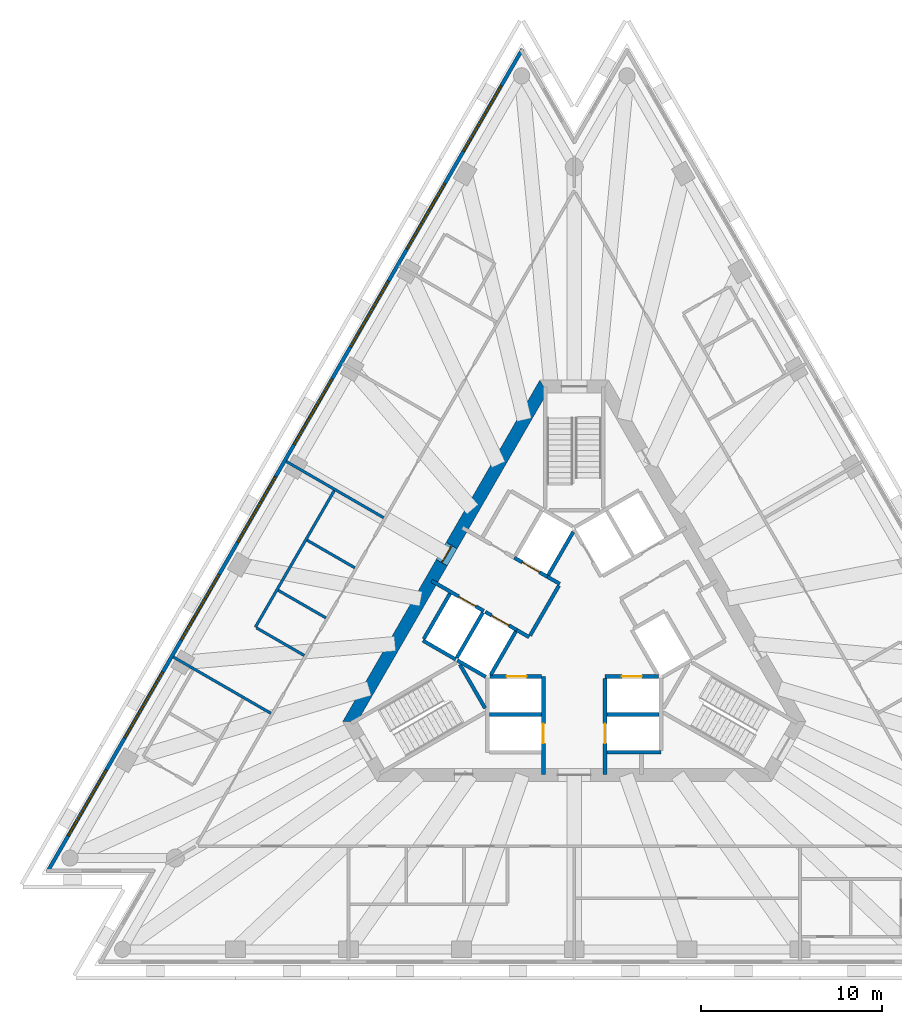
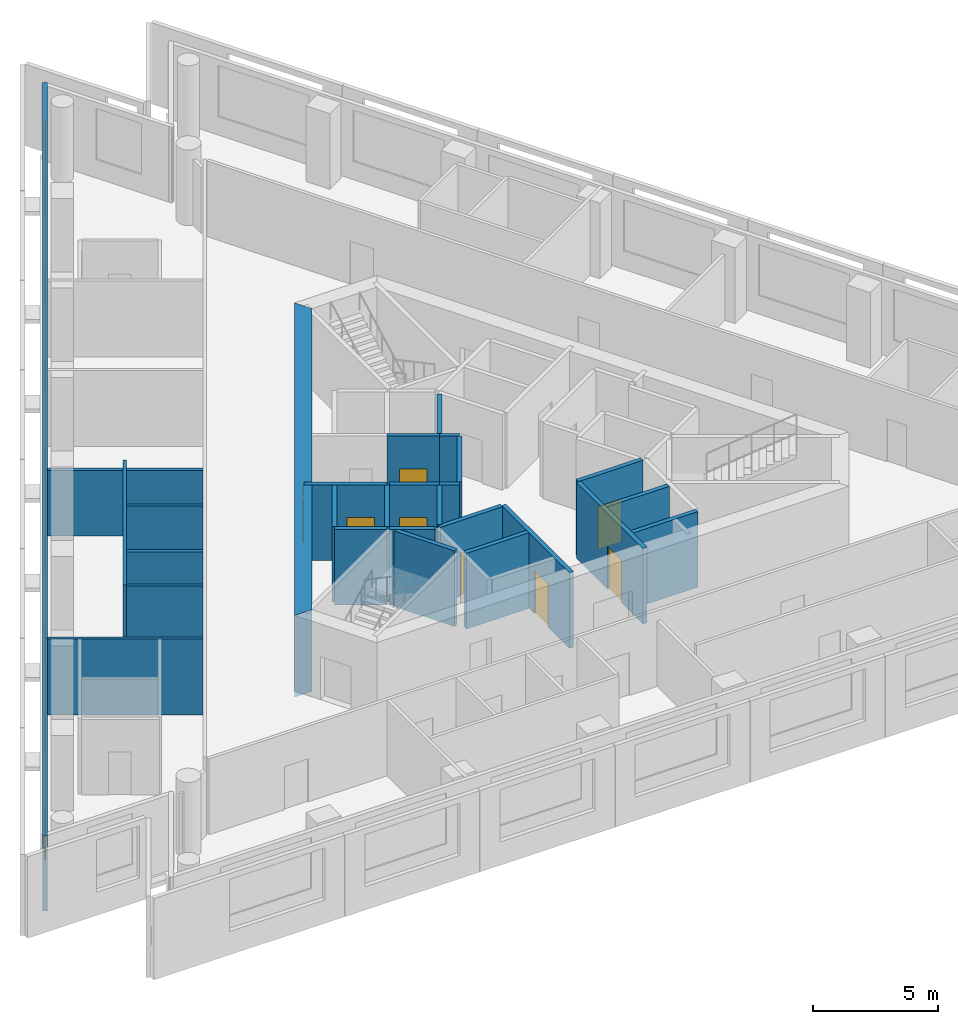
# One storey, part 4 of 10: 28 walls, 8 doors, 8 windows, 16 openings.
"""IFC4 building model written with IfcOpenShell, lengths in metres."""

from ifc_helpers import new_model, si_unit, direction, frame, frame_2d, origin, place, context, subcontext, project, spatial, polyline, rectangle, outline, extrude, material, layer, layer_set, layer_usage, type_object, element, fill, save


model = new_model("IFC4")

# Units and contexts
model_context = context("Model", 3, precision=1e-05, world=origin(), true_north=direction((0.0, 1.0)))
body_context = subcontext(model_context, "Body", "Model", "MODEL_VIEW")
ifc_project = project(units=[si_unit("LENGTHUNIT", "METRE"), si_unit("AREAUNIT", "SQUARE_METRE"), si_unit("VOLUMEUNIT", "CUBIC_METRE"), si_unit("PLANEANGLEUNIT", "RADIAN"), si_unit("MASSUNIT", "GRAM", prefix="KILO")], contexts=[model_context])

# Site, building, storey
site_placement = place(None, origin())
site = spatial("IfcSite", under=ifc_project, at=site_placement, CompositionType="ELEMENT")
building_placement = place(site_placement, origin())
building = spatial("IfcBuilding", under=site, at=building_placement, Name="Triada Interchange Tower", CompositionType="ELEMENT")
storey_placement = place(building_placement, frame((0.0, 0.0, 199.300048828125)))
storey = spatial("IfcBuildingStorey", under=building, at=storey_placement, Name="L46", CompositionType="ELEMENT", Elevation=199.300048828125)

# Walls
ifc_material_1 = material(Name="Concrete C30/37", Category="concrete")
ifc_layer_1 = layer(ifc_material_1, 0.199951171875)
ifc_layer_set_1 = layer_set([ifc_layer_1], Name="CORE WALL 200 EI 120")
wall_type_1 = type_object("IfcWallType", Name="CORE WALL 200 EI 120", PredefinedType="SOLIDWALL", material=ifc_layer_set_1)
wall_1_placement = place(storey_placement, frame((-8.3759765625, -0.70703125, 0.0), z_axis=(0.0, 0.0, 1.0), x_axis=(0.866067520717, -0.499927044236, 0.0)))
element("IfcWall", 1, at=wall_1_placement, inside=storey, type_object=wall_type_1, Name="Wall L44 44", PredefinedType="SOLIDWALL", context=body_context, shape_type="SweptSolid", body=[
    extrude(rectangle(XDim=2.100341796875, YDim=0.199951171875, at=frame_2d((1.05029296875, 0.0))), origin(), (0.0, 0.0, 1.0), 3.699951171875),
])
wall_2_placement = place(storey_placement, frame((-8.325927734375, -0.6201171875, 0.0), z_axis=(0.0, 0.0, 1.0), x_axis=(0.500023687443, 0.866011727401, 0.0)))
element("IfcWall", 2, at=wall_2_placement, inside=storey, type_object=wall_type_1, Name="Wall L44 45", PredefinedType="SOLIDWALL", context=body_context, shape_type="SweptSolid", body=[
    extrude(rectangle(XDim=2.899658203125, YDim=0.199951171875, at=frame_2d((1.44970703125, 0.0))), origin(), (0.0, 0.0, 1.0), 3.699951171875),
])
for number, where, z_axis, x_axis, name in (
    (3, (-4.699951171875, -4.800048828125, 0.0), (0.0, 0.0, 1.0), (1.0, 0.0, 0.0), "Wall L44 46"),
    (4, (1.800048828125, -4.800048828125, 0.0), (0.0, 0.0, 1.0), (1.0, 0.0, 0.0), "Wall L44 47"),
):
    element("IfcWall", number, at=place(storey_placement, frame(where, z_axis=z_axis, x_axis=x_axis)), inside=storey, type_object=wall_type_1, Name=name, PredefinedType="SOLIDWALL", context=body_context, shape_type="SweptSolid", body=[
        extrude(rectangle(XDim=2.89990234375, YDim=0.199951171875, at=frame_2d((1.449951171875, 0.0))), origin(), (0.0, 0.0, 1.0), 3.699951171875),
    ])
wall_3_placement = place(storey_placement, frame((1.800048828125, -6.89990234375, 0.0), z_axis=(0.0, 0.0, 1.0), x_axis=(1.0, 0.0, 0.0)))
element("IfcWall", 5, at=wall_3_placement, inside=storey, type_object=wall_type_1, Name="Wall L44 50", PredefinedType="SOLIDWALL", context=body_context, shape_type="SweptSolid", body=[
    extrude(rectangle(XDim=3.0, YDim=0.199951171875, at=frame_2d((1.5, 0.0))), origin(), (0.0, 0.0, 1.0), 3.699951171875),
])

# Wall, opening, door
wall_4_placement = place(storey_placement, frame((-1.699951171875, -8.1298828125, 0.0), z_axis=(0.0, 0.0, 1.0), x_axis=(0.0, 1.0, 0.0)))
wall_4 = element("IfcWall", 6, at=wall_4_placement, inside=storey, type_object=wall_type_1, Name="Wall L44 51", PredefinedType="SOLIDWALL", context=body_context, shape_type="SweptSolid", body=[
    extrude(rectangle(XDim=5.427001953125, YDim=0.199951171875, at=frame_2d((2.71337890625, 0.0))), origin(), (0.0, 0.0, 1.0), 3.699951171875),
])
opening_1_placement = place(wall_4_placement, frame((1.72998046875, 0.0, 0.0)))
opening_1 = element("IfcOpeningElement", 7, at=opening_1_placement, cuts=wall_4, Name="Opening LD-HR4", PredefinedType="OPENING", context=body_context, shape_type="SweptSolid", body=[
    extrude(rectangle(XDim=1.10009765625, YDim=2.10009765625, at=frame_2d((0.550048828125, 1.050048828125))), frame((0.0, 0.10986328125, 0.0), z_axis=(0.0, -1.0, 0.0), x_axis=(1.0, 0.0, 0.0)), (0.0, 0.0, 1.0), 0.219970703125),
])
ifc_material_2 = material(Name="Steel S235 door leaf", Category="steel")
door_type_1 = type_object("IfcDoorType", Name="LIFT LANDING DOOR 1100 EI 120", OperationType="SLIDING_TO_LEFT", PredefinedType="DOOR", material=ifc_material_2)
door_1_placement = place(opening_1_placement, origin())
door_1 = element("IfcDoor", 8, at=door_1_placement, inside=storey, type_object=door_type_1, Name="HR4 landing door L46", OperationType="SLIDING_TO_LEFT", OverallHeight=2.10009765625, OverallWidth=1.10009765625, PredefinedType="DOOR", context=body_context, shape_type="SweptSolid", body=[
    extrude(rectangle(XDim=1.10009765625, YDim=2.10009765625, at=frame_2d((0.550048828125, 1.050048828125))), frame((0.0, 0.02490234375, 0.0), z_axis=(0.0, -1.0, 0.0), x_axis=(1.0, 0.0, 0.0)), (0.0, 0.0, 1.0), 0.050048828125),
])
fill(opening_1, door_1)

wall_5_placement = place(storey_placement, frame((-4.676025390625, -2.699951171875, 0.0), z_axis=(0.0, 0.0, 1.0), x_axis=(1.0, 0.0, 0.0)))
wall_5 = element("IfcWall", 9, at=wall_5_placement, inside=storey, type_object=wall_type_1, Name="Wall L44 52", PredefinedType="SOLIDWALL", context=body_context, shape_type="SweptSolid", body=[
    extrude(rectangle(XDim=2.873046875, YDim=0.199951171875, at=frame_2d((1.4365234375, 0.0))), origin(), (0.0, 0.0, 1.0), 3.699951171875),
])
opening_2_placement = place(wall_5_placement, frame((0.93701171875, 0.0, 0.0)))
opening_2 = element("IfcOpeningElement", 10, at=opening_2_placement, cuts=wall_5, Name="Opening LD-HR3", PredefinedType="OPENING", context=body_context, shape_type="SweptSolid", body=[
    extrude(rectangle(XDim=1.10009765625, YDim=2.10009765625, at=frame_2d((0.550048828125, 1.050048828125))), frame((0.0, 0.10986328125, 0.0), z_axis=(0.0, -1.0, 0.0), x_axis=(1.0, 0.0, 0.0)), (0.0, 0.0, 1.0), 0.219970703125),
])
door_2_placement = place(opening_2_placement, origin())
door_2 = element("IfcDoor", 11, at=door_2_placement, inside=storey, type_object=door_type_1, Name="HR3 landing door L46", OperationType="SLIDING_TO_LEFT", OverallHeight=2.10009765625, OverallWidth=1.10009765625, PredefinedType="DOOR", context=body_context, shape_type="SweptSolid", body=[
    extrude(rectangle(XDim=1.10009765625, YDim=2.10009765625, at=frame_2d((0.550048828125, 1.050048828125))), frame((0.0, 0.02490234375, 0.0), z_axis=(0.0, -1.0, 0.0), x_axis=(1.0, 0.0, 0.0)), (0.0, 0.0, 1.0), 0.050048828125),
])
fill(opening_2, door_2)

wall_6_placement = place(storey_placement, frame((1.702880859375, -2.699951171875, 0.0), z_axis=(0.0, 0.0, 1.0), x_axis=(1.0, 0.0, 0.0)))
wall_6 = element("IfcWall", 12, at=wall_6_placement, inside=storey, type_object=wall_type_1, Name="Wall L44 53", PredefinedType="SOLIDWALL", context=body_context, shape_type="SweptSolid", body=[
    extrude(rectangle(XDim=2.97314453125, YDim=0.199951171875, at=frame_2d((1.486572265625, 0.0))), origin(), (0.0, 0.0, 1.0), 3.699951171875),
])
opening_3_placement = place(wall_6_placement, frame((0.93603515625, 0.0, 0.0)))
opening_3 = element("IfcOpeningElement", 13, at=opening_3_placement, cuts=wall_6, Name="Opening LD-HR1", PredefinedType="OPENING", context=body_context, shape_type="SweptSolid", body=[
    extrude(rectangle(XDim=1.10009765625, YDim=2.10009765625, at=frame_2d((0.550048828125, 1.050048828125))), frame((0.0, 0.10986328125, 0.0), z_axis=(0.0, -1.0, 0.0), x_axis=(1.0, 0.0, 0.0)), (0.0, 0.0, 1.0), 0.219970703125),
])
door_3_placement = place(opening_3_placement, origin())
door_3 = element("IfcDoor", 14, at=door_3_placement, inside=storey, type_object=door_type_1, Name="HR1 landing door L46", OperationType="SLIDING_TO_LEFT", OverallHeight=2.10009765625, OverallWidth=1.10009765625, PredefinedType="DOOR", context=body_context, shape_type="SweptSolid", body=[
    extrude(rectangle(XDim=1.10009765625, YDim=2.10009765625, at=frame_2d((0.550048828125, 1.050048828125))), frame((0.0, 0.02490234375, 0.0), z_axis=(0.0, -1.0, 0.0), x_axis=(1.0, 0.0, 0.0)), (0.0, 0.0, 1.0), 0.050048828125),
])
fill(opening_3, door_3)

wall_7_placement = place(storey_placement, frame((1.699951171875, -8.1298828125, 0.0), z_axis=(0.0, 0.0, 1.0), x_axis=(0.0, 1.0, 0.0)))
wall_7 = element("IfcWall", 15, at=wall_7_placement, inside=storey, type_object=wall_type_1, Name="Wall L44 58", PredefinedType="SOLIDWALL", context=body_context, shape_type="SweptSolid", body=[
    extrude(rectangle(XDim=5.326904296875, YDim=0.199951171875, at=frame_2d((2.66357421875, 0.0))), origin(), (0.0, 0.0, 1.0), 3.699951171875),
])
opening_4_placement = place(wall_7_placement, frame((1.72998046875, 0.0, 0.0)))
opening_4 = element("IfcOpeningElement", 16, at=opening_4_placement, cuts=wall_7, Name="Opening LD-HR2", PredefinedType="OPENING", context=body_context, shape_type="SweptSolid", body=[
    extrude(rectangle(XDim=1.10009765625, YDim=2.10009765625, at=frame_2d((0.550048828125, 1.050048828125))), frame((0.0, 0.10986328125, 0.0), z_axis=(0.0, -1.0, 0.0), x_axis=(1.0, 0.0, 0.0)), (0.0, 0.0, 1.0), 0.219970703125),
])
door_4_placement = place(opening_4_placement, origin())
door_4 = element("IfcDoor", 17, at=door_4_placement, inside=storey, type_object=door_type_1, Name="HR2 landing door L46", OperationType="SLIDING_TO_LEFT", OverallHeight=2.10009765625, OverallWidth=1.10009765625, PredefinedType="DOOR", context=body_context, shape_type="SweptSolid", body=[
    extrude(rectangle(XDim=1.10009765625, YDim=2.10009765625, at=frame_2d((0.550048828125, 1.050048828125))), frame((0.0, 0.02490234375, 0.0), z_axis=(0.0, -1.0, 0.0), x_axis=(1.0, 0.0, 0.0)), (0.0, 0.0, 1.0), 0.050048828125),
])
fill(opening_4, door_4)

ifc_layer_2 = layer(ifc_material_1, 0.199951171875)
ifc_layer_set_2 = layer_set([ifc_layer_2], Name="CORE WALL 200 EI 180")
wall_type_2 = type_object("IfcWallType", Name="CORE WALL 200 EI 180", PredefinedType="SOLIDWALL", material=ifc_layer_set_2)
wall_8_placement = place(storey_placement, frame((-7.89111328125, 2.593017578125, 0.0), z_axis=(0.0, 0.0, 1.0), x_axis=(0.866070917804, -0.499921159118, 0.0)))
wall_8 = element("IfcWall", 18, at=wall_8_placement, inside=storey, type_object=wall_type_2, Name="Wall L44 69", PredefinedType="SOLIDWALL", context=body_context, shape_type="SweptSolid", body=[
    extrude(rectangle(XDim=3.33251953125, YDim=0.199951171875, at=frame_2d((1.666259765625, 0.0))), origin(), (0.0, 0.0, 1.0), 3.699951171875),
])
opening_5_placement = place(wall_8_placement, frame((1.72998046875, 0.0, 0.0)))
opening_5 = element("IfcOpeningElement", 19, at=opening_5_placement, cuts=wall_8, Name="Opening LD-SV1", PredefinedType="OPENING", context=body_context, shape_type="SweptSolid", body=[
    extrude(rectangle(XDim=1.10009765625, YDim=2.10009765625, at=frame_2d((0.550048828125, 1.050048828125))), frame((0.0, 0.10986328125, 0.0), z_axis=(0.0, -1.0, 0.0), x_axis=(1.0, 0.0, 0.0)), (0.0, 0.0, 1.0), 0.219970703125),
])
door_5_placement = place(opening_5_placement, origin())
door_5 = element("IfcDoor", 20, at=door_5_placement, inside=storey, type_object=door_type_1, Name="SV1 landing door L46", OperationType="SLIDING_TO_LEFT", OverallHeight=2.10009765625, OverallWidth=1.10009765625, PredefinedType="DOOR", context=body_context, shape_type="SweptSolid", body=[
    extrude(rectangle(XDim=1.10009765625, YDim=2.10009765625, at=frame_2d((0.550048828125, 1.050048828125))), frame((0.0, 0.02490234375, 0.0), z_axis=(0.0, -1.0, 0.0), x_axis=(1.0, 0.0, 0.0)), (0.0, 0.0, 1.0), 0.050048828125),
])
fill(opening_5, door_5)

# Walls
wall_9_placement = place(storey_placement, frame((-3.18798828125, -0.1220703125, 0.0), z_axis=(0.0, 0.0, 1.0), x_axis=(0.865705793592, -0.50055317294, 0.0)))
element("IfcWall", 21, at=wall_9_placement, inside=storey, type_object=wall_type_2, Name="Wall L44 70", PredefinedType="SOLIDWALL", context=body_context, shape_type="SweptSolid", body=[
    extrude(rectangle(XDim=0.796875, YDim=0.199951171875, at=frame_2d((0.3984375, 0.0))), origin(), (0.0, 0.0, 1.0), 3.699951171875),
])
wall_10_placement = place(storey_placement, frame((-1.488037109375, 2.822021484375, 0.0), z_axis=(0.0, 0.0, 1.0), x_axis=(0.866236612152, -0.499633997809, 0.0)))
element("IfcWall", 22, at=wall_10_placement, inside=storey, type_object=wall_type_2, Name="Wall L44 72", PredefinedType="SOLIDWALL", context=body_context, shape_type="SweptSolid", body=[
    extrude(rectangle(XDim=0.79638671875, YDim=0.199951171875, at=frame_2d((0.398193359375, 0.0))), origin(), (0.0, 0.0, 1.0), 3.699951171875),
])
wall_11_placement = place(storey_placement, frame((-2.444091796875, -0.43310546875, 0.0), z_axis=(0.0, 0.0, 1.0), x_axis=(0.500035624827, 0.866004834804, 0.0)))
element("IfcWall", 23, at=wall_11_placement, inside=storey, type_object=wall_type_2, Name="Wall L44 75", PredefinedType="SOLIDWALL", context=body_context, shape_type="SweptSolid", body=[
    extrude(rectangle(XDim=3.194091796875, YDim=0.199951171875, at=frame_2d((1.59716796875, 0.0))), origin(), (0.0, 0.0, 1.0), 3.699951171875),
])
wall_12_placement = place(storey_placement, frame((-6.507080078125, -1.669921875, 0.0), z_axis=(0.0, 0.0, 1.0), x_axis=(0.50012328804, 0.865954211699, 0.0)))
element("IfcWall", 24, at=wall_12_placement, inside=storey, type_object=wall_type_2, Name="Shaft wall FF1 L44 76", PredefinedType="SOLIDWALL", context=body_context, shape_type="SweptSolid", body=[
    extrude(rectangle(XDim=2.899658203125, YDim=0.199951171875, at=frame_2d((1.44970703125, 0.0))), origin(), (0.0, 0.0, 1.0), 3.699951171875),
])
wall_13_placement = place(storey_placement, frame((-6.469970703125, -1.806884765625, 0.0), z_axis=(0.0, 0.0, 1.0), x_axis=(0.865883195159, -0.500246231712, 0.0)))
element("IfcWall", 25, at=wall_13_placement, inside=storey, type_object=wall_type_2, Name="Shaft wall FF1 L44 77", PredefinedType="SOLIDWALL", context=body_context, shape_type="SweptSolid", body=[
    extrude(rectangle(XDim=1.8154296875, YDim=0.199951171875, at=frame_2d((0.90771484375, 0.0))), origin(), (0.0, 0.0, 1.0), 3.699951171875),
])

# Wall, opening, door
wall_14_placement = place(storey_placement, frame((-4.922119140625, 0.87890625, 0.0), z_axis=(0.0, 0.0, 1.0), x_axis=(0.866073918653, -0.499915960366, 0.0)))
wall_14 = element("IfcWall", 26, at=wall_14_placement, inside=storey, type_object=wall_type_2, Name="Shaft wall FF1 L44 78", PredefinedType="SOLIDWALL", context=body_context, shape_type="SweptSolid", body=[
    extrude(rectangle(XDim=2.002197265625, YDim=0.199951171875, at=frame_2d((1.0009765625, 0.0))), origin(), (0.0, 0.0, 1.0), 3.699951171875),
])
opening_6_placement = place(wall_14_placement, frame((0.402099609375, 0.0, 0.0)))
opening_6 = element("IfcOpeningElement", 27, at=opening_6_placement, cuts=wall_14, Name="Opening LD-FF1", PredefinedType="OPENING", context=body_context, shape_type="SweptSolid", body=[
    extrude(rectangle(XDim=1.10009765625, YDim=2.10009765625, at=frame_2d((0.550048828125, 1.050048828125))), frame((0.0, 0.10986328125, 0.0), z_axis=(0.0, -1.0, 0.0), x_axis=(1.0, 0.0, 0.0)), (0.0, 0.0, 1.0), 0.219970703125),
])
door_6_placement = place(opening_6_placement, origin())
door_6 = element("IfcDoor", 28, at=door_6_placement, inside=storey, type_object=door_type_1, Name="FF1 landing door L46", OperationType="SLIDING_TO_LEFT", OverallHeight=2.10009765625, OverallWidth=1.10009765625, PredefinedType="DOOR", context=body_context, shape_type="SweptSolid", body=[
    extrude(rectangle(XDim=1.10009765625, YDim=2.10009765625, at=frame_2d((0.550048828125, 1.050048828125))), frame((0.0, 0.02490234375, 0.0), z_axis=(0.0, -1.0, 0.0), x_axis=(1.0, 0.0, 0.0)), (0.0, 0.0, 1.0), 0.050048828125),
])
fill(opening_6, door_6)

# Wall
wall_15_placement = place(storey_placement, frame((-4.618896484375, -2.60009765625, 0.0), z_axis=(0.0, 0.0, 1.0), x_axis=(0.50009492287, 0.865970593103, 0.0)))
element("IfcWall", 29, at=wall_15_placement, inside=storey, type_object=wall_type_2, Name="Shaft wall FF1 L44 79", PredefinedType="SOLIDWALL", context=body_context, shape_type="SweptSolid", body=[
    extrude(rectangle(XDim=2.76123046875, YDim=0.199951171875, at=frame_2d((1.380615234375, 0.0))), origin(), (0.0, 0.0, 1.0), 3.699951171875),
])

# Wall, opening, door
wall_16_placement = place(storey_placement, frame((-3.30908203125, 3.873046875, 0.0), z_axis=(0.0, 0.0, 1.0), x_axis=(0.866098583652, -0.499873227325, 0.0)))
wall_16 = element("IfcWall", 30, at=wall_16_placement, inside=storey, type_object=wall_type_2, Name="Shaft wall FF2 L44 80", PredefinedType="SOLIDWALL", context=body_context, shape_type="SweptSolid", body=[
    extrude(rectangle(XDim=2.1025390625, YDim=0.199951171875, at=frame_2d((1.05126953125, 0.0))), origin(), (0.0, 0.0, 1.0), 3.699951171875),
])
opening_7_placement = place(wall_16_placement, frame((0.501953125, 0.0, 0.0)))
opening_7 = element("IfcOpeningElement", 31, at=opening_7_placement, cuts=wall_16, Name="Opening LD-FF2", PredefinedType="OPENING", context=body_context, shape_type="SweptSolid", body=[
    extrude(rectangle(XDim=1.10009765625, YDim=2.10009765625, at=frame_2d((0.550048828125, 1.050048828125))), frame((0.0, 0.10986328125, 0.0), z_axis=(0.0, -1.0, 0.0), x_axis=(1.0, 0.0, 0.0)), (0.0, 0.0, 1.0), 0.219970703125),
])
door_7_placement = place(opening_7_placement, origin())
door_7 = element("IfcDoor", 32, at=door_7_placement, inside=storey, type_object=door_type_1, Name="FF2 landing door L46", OperationType="SLIDING_TO_LEFT", OverallHeight=2.10009765625, OverallWidth=1.10009765625, PredefinedType="DOOR", context=body_context, shape_type="SweptSolid", body=[
    extrude(rectangle(XDim=1.10009765625, YDim=2.10009765625, at=frame_2d((0.550048828125, 1.050048828125))), frame((0.0, 0.02490234375, 0.0), z_axis=(0.0, -1.0, 0.0), x_axis=(1.0, 0.0, 0.0)), (0.0, 0.0, 1.0), 0.050048828125),
])
fill(opening_7, door_7)

# Walls
wall_17_placement = place(storey_placement, frame((-1.43798828125, 2.908935546875, 0.0), z_axis=(0.0, 0.0, 1.0), x_axis=(0.499829630636, 0.866123744241, 0.0)))
element("IfcWall", 33, at=wall_17_placement, inside=storey, type_object=wall_type_2, Name="Shaft wall FF2 L44 83", PredefinedType="SOLIDWALL", context=body_context, shape_type="SweptSolid", body=[
    extrude(rectangle(XDim=2.7607421875, YDim=0.199951171875, at=frame_2d((1.38037109375, 0.0))), origin(), (0.0, 0.0, 1.0), 3.699951171875),
])
ifc_layer_3 = layer(ifc_material_1, 0.199951171875)
ifc_layer_set_3 = layer_set([ifc_layer_3], Name="CORE WALL 200 REI 240")
wall_type_3 = type_object("IfcWallType", Name="CORE WALL 200 REI 240", PredefinedType="SOLIDWALL", material=ifc_layer_set_3)
wall_18_placement = place(storey_placement, frame((-6.3291015625, -2.0380859375, 0.0), z_axis=(0.0, 0.0, 1.0), x_axis=(0.500200581029, -0.865909567298, 0.0)))
element("IfcWall", 34, at=wall_18_placement, inside=storey, type_object=wall_type_3, Name="Wall L44 89", PredefinedType="SOLIDWALL", context=body_context, shape_type="SweptSolid", body=[
    extrude(rectangle(XDim=2.799072265625, YDim=0.199951171875, at=frame_2d((1.3994140625, 0.0))), origin(), (0.0, 0.0, 1.0), 3.699951171875),
])

# Wall, opening, door
ifc_material_3 = material(Name="Concrete C50/60", Category="concrete")
ifc_layer_4 = layer(ifc_material_3, 0.699951171875)
ifc_layer_set_4 = layer_set([ifc_layer_4], Name="Core wall C 700")
wall_type_4 = type_object("IfcWallType", Name="Core wall C 700", PredefinedType="SHEAR", material=ifc_layer_set_4)
wall_19_placement = place(storey_placement, frame((-1.702880859375, 13.35009765625, -0.300048828125), z_axis=(0.0, 0.0, 1.0), x_axis=(-0.500011533395, -0.866018744874, 0.0)))
wall_19 = element("IfcWall", 35, at=wall_19_placement, inside=storey, type_object=wall_type_4, Name="Core wall WC02 L46", PredefinedType="SHEAR", context=body_context, shape_type="SweptSolid", body=[
    extrude(outline(polyline([(-0.201904296875, -0.35009765625), (1.781982421875, -0.35009765625), (3.76611328125, -0.35009765625), (5.75, -0.35009765625), (7.734130859375, -0.35009765625), (9.718017578125, -0.35009765625), (11.7021484375, -0.35009765625), (13.68603515625, -0.35009765625), (15.670166015625, -0.35009765625), (17.654052734375, -0.35009765625), (19.63818359375, -0.35009765625), (21.6220703125, -0.35009765625), (21.218017578125, 0.35009765625), (19.307373046875, 0.35009765625), (17.39697265625, 0.35009765625), (15.486328125, 0.35009765625), (13.57568359375, 0.35009765625), (11.665283203125, 0.35009765625), (9.754638671875, 0.35009765625), (7.84423828125, 0.35009765625), (5.93359375, 0.35009765625), (4.02294921875, 0.35009765625), (2.112548828125, 0.35009765625), (0.201904296875, 0.35009765625), (-0.201904296875, -0.35009765625)])), origin(), (0.0, 0.0, 1.0), 4.0),
])
opening_8_placement = place(wall_19_placement, frame((10.159912109375, 0.0, 0.300048828125)))
opening_8 = element("IfcOpeningElement", 36, at=opening_8_placement, cuts=wall_19, Name="Opening D44-43", PredefinedType="OPENING", context=body_context, shape_type="SweptSolid", body=[
    extrude(rectangle(XDim=1.10009765625, YDim=2.10009765625, at=frame_2d((0.550048828125, 1.050048828125))), frame((0.0, 0.360107421875, 0.0), z_axis=(0.0, -1.0, 0.0), x_axis=(1.0, 0.0, 0.0)), (0.0, 0.0, 1.0), 0.72021484375),
])
door_type_2 = type_object("IfcDoorType", Name="FIRE LOBBY DOOR 1100 EI2 90-C5S200", OperationType="NOTDEFINED", PredefinedType="DOOR", material=ifc_material_2)
door_8_placement = place(opening_8_placement, origin())
door_8 = element("IfcDoor", 37, at=door_8_placement, inside=storey, type_object=door_type_2, Name="Door D44-43 L46", OperationType="SINGLE_SWING_RIGHT", OverallHeight=2.10009765625, OverallWidth=1.10009765625, PredefinedType="DOOR", context=body_context, shape_type="SweptSolid", body=[
    extrude(rectangle(XDim=1.10009765625, YDim=2.10009765625, at=frame_2d((0.550048828125, 1.050048828125))), frame((0.0, 0.02490234375, 0.0), z_axis=(0.0, -1.0, 0.0), x_axis=(1.0, 0.0, 0.0)), (0.0, 0.0, 1.0), 0.050048828125),
])
fill(opening_8, door_8)

# Wall, openings, windows
ifc_material_4 = material(Name="Cement board")
ifc_layer_5 = layer(ifc_material_4, 0.02001953125, Name="Cement board cladding")
ifc_material_5 = material(Name="Sheathing board")
ifc_layer_6 = layer(ifc_material_5, 0.014892578125, Name="Sheathing board")
ifc_material_6 = material(Name="Mineral wool")
ifc_layer_7 = layer(ifc_material_6, 0.14990234375, Name="Mineral wool between steel studs")
ifc_material_7 = material(Name="Gypsum board")
ifc_layer_8 = layer(ifc_material_7, 0.014892578125, Name="Plasterboard lining")
ifc_layer_set_5 = layer_set([ifc_layer_5, ifc_layer_6, ifc_layer_7, ifc_layer_8], Name="External wall 200")
ifc_layer_usage = layer_usage(ifc_layer_set_5, "AXIS2", "POSITIVE", -0.10009765625)
wall_type_5 = type_object("IfcWallType", Name="External wall 200", PredefinedType="ELEMENTEDWALL", material=ifc_layer_set_5)
wall_20_placement = place(storey_placement, frame((-2.868896484375, 32.02001953125, 0.0), z_axis=(0.0, 0.0, 1.0), x_axis=(-0.500006930241, -0.866021402571, 0.0)))
wall_20 = element("IfcWall", 38, at=wall_20_placement, inside=storey, type_object=wall_type_5, material=ifc_layer_usage, Name="External wall L46 NW", PredefinedType="ELEMENTEDWALL", context=body_context, shape_type="SweptSolid", body=[
    extrude(rectangle(XDim=52.571533203125, YDim=0.199951171875, at=frame_2d((26.28564453125, 0.0))), origin(), (0.0, 0.0, 1.0), 3.699951171875),
])
opening_9_placement = place(wall_20_placement, frame((2.326904296875, 0.0, 0.89990234375)))
opening_9 = element("IfcOpeningElement", 39, at=opening_9_placement, cuts=wall_20, Name="Opening WC01", PredefinedType="OPENING", context=body_context, shape_type="SweptSolid", body=[
    extrude(rectangle(XDim=4.199951171875, YDim=2.5, at=frame_2d((2.10009765625, 1.25))), frame((0.0, 0.10986328125, 0.0), z_axis=(0.0, -1.0, 0.0), x_axis=(1.0, 0.0, 0.0)), (0.0, 0.0, 1.0), 0.219970703125),
])
opening_10_placement = place(wall_20_placement, frame((8.574951171875, 0.0, 0.89990234375)))
opening_10 = element("IfcOpeningElement", 40, at=opening_10_placement, cuts=wall_20, Name="Opening WC02", PredefinedType="OPENING", context=body_context, shape_type="SweptSolid", body=[
    extrude(rectangle(XDim=4.199951171875, YDim=2.5, at=frame_2d((2.10009765625, 1.25))), frame((0.0, 0.10986328125, 0.0), z_axis=(0.0, -1.0, 0.0), x_axis=(1.0, 0.0, 0.0)), (0.0, 0.0, 1.0), 0.219970703125),
])
opening_11_placement = place(wall_20_placement, frame((14.822998046875, 0.0, 0.89990234375)))
opening_11 = element("IfcOpeningElement", 41, at=opening_11_placement, cuts=wall_20, Name="Opening WC03", PredefinedType="OPENING", context=body_context, shape_type="SweptSolid", body=[
    extrude(rectangle(XDim=4.199951171875, YDim=2.5, at=frame_2d((2.10009765625, 1.25))), frame((0.0, 0.10986328125, 0.0), z_axis=(0.0, -1.0, 0.0), x_axis=(1.0, 0.0, 0.0)), (0.0, 0.0, 1.0), 0.219970703125),
])
opening_12_placement = place(wall_20_placement, frame((21.071044921875, 0.0, 0.89990234375)))
opening_12 = element("IfcOpeningElement", 42, at=opening_12_placement, cuts=wall_20, Name="Opening WC04", PredefinedType="OPENING", context=body_context, shape_type="SweptSolid", body=[
    extrude(rectangle(XDim=4.199951171875, YDim=2.5, at=frame_2d((2.10009765625, 1.25))), frame((0.0, 0.10986328125, 0.0), z_axis=(0.0, -1.0, 0.0), x_axis=(1.0, 0.0, 0.0)), (0.0, 0.0, 1.0), 0.219970703125),
])
opening_13_placement = place(wall_20_placement, frame((27.319091796875, 0.0, 0.89990234375)))
opening_13 = element("IfcOpeningElement", 43, at=opening_13_placement, cuts=wall_20, Name="Opening WC05", PredefinedType="OPENING", context=body_context, shape_type="SweptSolid", body=[
    extrude(rectangle(XDim=4.199951171875, YDim=2.5, at=frame_2d((2.10009765625, 1.25))), frame((0.0, 0.10986328125, 0.0), z_axis=(0.0, -1.0, 0.0), x_axis=(1.0, 0.0, 0.0)), (0.0, 0.0, 1.0), 0.219970703125),
])
opening_14_placement = place(wall_20_placement, frame((33.568115234375, 0.0, 0.89990234375)))
opening_14 = element("IfcOpeningElement", 44, at=opening_14_placement, cuts=wall_20, Name="Opening WC06", PredefinedType="OPENING", context=body_context, shape_type="SweptSolid", body=[
    extrude(rectangle(XDim=4.199951171875, YDim=2.5, at=frame_2d((2.10009765625, 1.25))), frame((0.0, 0.10986328125, 0.0), z_axis=(0.0, -1.0, 0.0), x_axis=(1.0, 0.0, 0.0)), (0.0, 0.0, 1.0), 0.219970703125),
])
opening_15_placement = place(wall_20_placement, frame((39.81591796875, 0.0, 0.89990234375)))
opening_15 = element("IfcOpeningElement", 45, at=opening_15_placement, cuts=wall_20, Name="Opening WC07", PredefinedType="OPENING", context=body_context, shape_type="SweptSolid", body=[
    extrude(rectangle(XDim=4.199951171875, YDim=2.5, at=frame_2d((2.10009765625, 1.25))), frame((0.0, 0.10986328125, 0.0), z_axis=(0.0, -1.0, 0.0), x_axis=(1.0, 0.0, 0.0)), (0.0, 0.0, 1.0), 0.219970703125),
])
opening_16_placement = place(wall_20_placement, frame((46.06396484375, 0.0, 0.89990234375)))
opening_16 = element("IfcOpeningElement", 46, at=opening_16_placement, cuts=wall_20, Name="Opening WC08", PredefinedType="OPENING", context=body_context, shape_type="SweptSolid", body=[
    extrude(rectangle(XDim=4.199951171875, YDim=2.5, at=frame_2d((2.10009765625, 1.25))), frame((0.0, 0.10986328125, 0.0), z_axis=(0.0, -1.0, 0.0), x_axis=(1.0, 0.0, 0.0)), (0.0, 0.0, 1.0), 0.219970703125),
])
ifc_material_8 = material(Name="Double glazed aluminium window", Category="aluminium")
window_type = type_object("IfcWindowType", Name="Ribbon window C face", PartitioningType="SINGLE_PANEL", PredefinedType="WINDOW", material=ifc_material_8)
window_1_placement = place(opening_9_placement, origin())
window_1 = element("IfcWindow", 47, at=window_1_placement, inside=storey, type_object=window_type, Name="Window L46 NW 1", OverallHeight=2.5, OverallWidth=4.199951171875, PartitioningType="SINGLE_PANEL", PredefinedType="WINDOW", context=body_context, shape_type="SweptSolid", body=[
    extrude(rectangle(XDim=4.199951171875, YDim=2.5, at=frame_2d((2.10009765625, 1.25))), frame((0.0, 0.030029296875, 0.0), z_axis=(0.0, -1.0, 0.0), x_axis=(1.0, 0.0, 0.0)), (0.0, 0.0, 1.0), 0.06005859375),
])
fill(opening_9, window_1)
window_2_placement = place(opening_10_placement, origin())
window_2 = element("IfcWindow", 48, at=window_2_placement, inside=storey, type_object=window_type, Name="Window L46 NW 2", OverallHeight=2.5, OverallWidth=4.199951171875, PartitioningType="SINGLE_PANEL", PredefinedType="WINDOW", context=body_context, shape_type="SweptSolid", body=[
    extrude(rectangle(XDim=4.199951171875, YDim=2.5, at=frame_2d((2.10009765625, 1.25))), frame((0.0, 0.030029296875, 0.0), z_axis=(0.0, -1.0, 0.0), x_axis=(1.0, 0.0, 0.0)), (0.0, 0.0, 1.0), 0.06005859375),
])
fill(opening_10, window_2)
window_3_placement = place(opening_11_placement, origin())
window_3 = element("IfcWindow", 49, at=window_3_placement, inside=storey, type_object=window_type, Name="Window L46 NW 3", OverallHeight=2.5, OverallWidth=4.199951171875, PartitioningType="SINGLE_PANEL", PredefinedType="WINDOW", context=body_context, shape_type="SweptSolid", body=[
    extrude(rectangle(XDim=4.199951171875, YDim=2.5, at=frame_2d((2.10009765625, 1.25))), frame((0.0, 0.030029296875, 0.0), z_axis=(0.0, -1.0, 0.0), x_axis=(1.0, 0.0, 0.0)), (0.0, 0.0, 1.0), 0.06005859375),
])
fill(opening_11, window_3)
window_4_placement = place(opening_12_placement, origin())
window_4 = element("IfcWindow", 50, at=window_4_placement, inside=storey, type_object=window_type, Name="Window L46 NW 4", OverallHeight=2.5, OverallWidth=4.199951171875, PartitioningType="SINGLE_PANEL", PredefinedType="WINDOW", context=body_context, shape_type="SweptSolid", body=[
    extrude(rectangle(XDim=4.199951171875, YDim=2.5, at=frame_2d((2.10009765625, 1.25))), frame((0.0, 0.030029296875, 0.0), z_axis=(0.0, -1.0, 0.0), x_axis=(1.0, 0.0, 0.0)), (0.0, 0.0, 1.0), 0.06005859375),
])
fill(opening_12, window_4)
window_5_placement = place(opening_13_placement, origin())
window_5 = element("IfcWindow", 51, at=window_5_placement, inside=storey, type_object=window_type, Name="Window L46 NW 5", OverallHeight=2.5, OverallWidth=4.199951171875, PartitioningType="SINGLE_PANEL", PredefinedType="WINDOW", context=body_context, shape_type="SweptSolid", body=[
    extrude(rectangle(XDim=4.199951171875, YDim=2.5, at=frame_2d((2.10009765625, 1.25))), frame((0.0, 0.030029296875, 0.0), z_axis=(0.0, -1.0, 0.0), x_axis=(1.0, 0.0, 0.0)), (0.0, 0.0, 1.0), 0.06005859375),
])
fill(opening_13, window_5)
window_6_placement = place(opening_14_placement, origin())
window_6 = element("IfcWindow", 52, at=window_6_placement, inside=storey, type_object=window_type, Name="Window L46 NW 6", OverallHeight=2.5, OverallWidth=4.199951171875, PartitioningType="SINGLE_PANEL", PredefinedType="WINDOW", context=body_context, shape_type="SweptSolid", body=[
    extrude(rectangle(XDim=4.199951171875, YDim=2.5, at=frame_2d((2.10009765625, 1.25))), frame((0.0, 0.030029296875, 0.0), z_axis=(0.0, -1.0, 0.0), x_axis=(1.0, 0.0, 0.0)), (0.0, 0.0, 1.0), 0.06005859375),
])
fill(opening_14, window_6)
window_7_placement = place(opening_15_placement, origin())
window_7 = element("IfcWindow", 53, at=window_7_placement, inside=storey, type_object=window_type, Name="Window L46 NW 7", OverallHeight=2.5, OverallWidth=4.199951171875, PartitioningType="SINGLE_PANEL", PredefinedType="WINDOW", context=body_context, shape_type="SweptSolid", body=[
    extrude(rectangle(XDim=4.199951171875, YDim=2.5, at=frame_2d((2.10009765625, 1.25))), frame((0.0, 0.030029296875, 0.0), z_axis=(0.0, -1.0, 0.0), x_axis=(1.0, 0.0, 0.0)), (0.0, 0.0, 1.0), 0.06005859375),
])
fill(opening_15, window_7)
window_8_placement = place(opening_16_placement, origin())
window_8 = element("IfcWindow", 54, at=window_8_placement, inside=storey, type_object=window_type, Name="Window L46 NW 8", OverallHeight=2.5, OverallWidth=4.199951171875, PartitioningType="SINGLE_PANEL", PredefinedType="WINDOW", context=body_context, shape_type="SweptSolid", body=[
    extrude(rectangle(XDim=4.199951171875, YDim=2.5, at=frame_2d((2.10009765625, 1.25))), frame((0.0, 0.030029296875, 0.0), z_axis=(0.0, -1.0, 0.0), x_axis=(1.0, 0.0, 0.0)), (0.0, 0.0, 1.0), 0.06005859375),
])
fill(opening_16, window_8)

# Walls
ifc_material_9 = material(Name="Gypsum board partition")
ifc_layer_9 = layer(ifc_material_9, 0.14990234375)
ifc_layer_set_6 = layer_set([ifc_layer_9], Name="PARTITION 150 EI 180")
wall_type_6 = type_object("IfcWallType", Name="PARTITION 150 EI 180", PredefinedType="PARTITIONING", material=ifc_layer_set_6)
wall_21_placement = place(storey_placement, frame((-22.196044921875, -1.614990234375, 0.0), z_axis=(0.0, 0.0, 1.0), x_axis=(0.86601944389, -0.500010322698, 0.0)))
element("IfcWall", 55, at=wall_21_placement, inside=storey, type_object=wall_type_6, Name="Wall L44 3", PredefinedType="PARTITIONING", context=body_context, shape_type="SweptSolid", body=[
    extrude(rectangle(XDim=6.239990234375, YDim=0.14990234375, at=frame_2d((3.1201171875, 0.0))), origin(), (0.0, 0.0, 1.0), 3.699951171875),
])
wall_22_placement = place(storey_placement, frame((-17.64794921875, 0.029052734375, 0.0), z_axis=(0.0, 0.0, 1.0), x_axis=(0.500054279689, 0.865994063124, 0.0)))
element("IfcWall", 56, at=wall_22_placement, inside=storey, type_object=wall_type_6, Name="Wall L44 6", PredefinedType="PARTITIONING", context=body_context, shape_type="SweptSolid", body=[
    extrude(rectangle(XDim=8.72509765625, YDim=0.14990234375, at=frame_2d((4.362548828125, 0.0))), origin(), (0.0, 0.0, 1.0), 3.699951171875),
])
for number, where, z_axis, x_axis, name in (
    (57, (-17.5830078125, -0.009033203125, 0.0), (0.0, 0.0, 1.0), (0.866056215479, -0.499946628782, 0.0), "Wall L44 7"),
    (58, (-16.383056640625, 2.069091796875, 0.0), (0.0, 0.0, 1.0), (0.866180252056, -0.499731698962, 0.0), "Wall L44 8"),
):
    element("IfcWall", number, at=place(storey_placement, frame(where, z_axis=z_axis, x_axis=x_axis)), inside=storey, type_object=wall_type_6, Name=name, PredefinedType="PARTITIONING", context=body_context, shape_type="SweptSolid", body=[
        extrude(rectangle(XDim=3.048095703125, YDim=0.14990234375, at=frame_2d((1.52392578125, 0.0))), origin(), (0.0, 0.0, 1.0), 3.699951171875),
    ])
wall_23_placement = place(storey_placement, frame((-15.947021484375, 9.2080078125, 0.0), z_axis=(0.0, 0.0, 1.0), x_axis=(0.86601944389, -0.500010322698, 0.0)))
element("IfcWall", 59, at=wall_23_placement, inside=storey, type_object=wall_type_6, Name="Wall L44 9", PredefinedType="PARTITIONING", context=body_context, shape_type="SweptSolid", body=[
    extrude(rectangle(XDim=6.239990234375, YDim=0.14990234375, at=frame_2d((3.1201171875, 0.0))), origin(), (0.0, 0.0, 1.0), 3.199951171875),
])
wall_24_placement = place(storey_placement, frame((-14.782958984375, 4.841064453125, 0.0), z_axis=(0.0, 0.0, 1.0), x_axis=(0.866021535541, -0.500006699934, 0.0)))
element("IfcWall", 60, at=wall_24_placement, inside=storey, type_object=wall_type_6, Name="Wall L44 11", PredefinedType="PARTITIONING", context=body_context, shape_type="SweptSolid", body=[
    extrude(rectangle(XDim=3.04833984375, YDim=0.14990234375, at=frame_2d((1.524169921875, 0.0))), origin(), (0.0, 0.0, 1.0), 3.699951171875),
])

save(model, "model.ifc")
